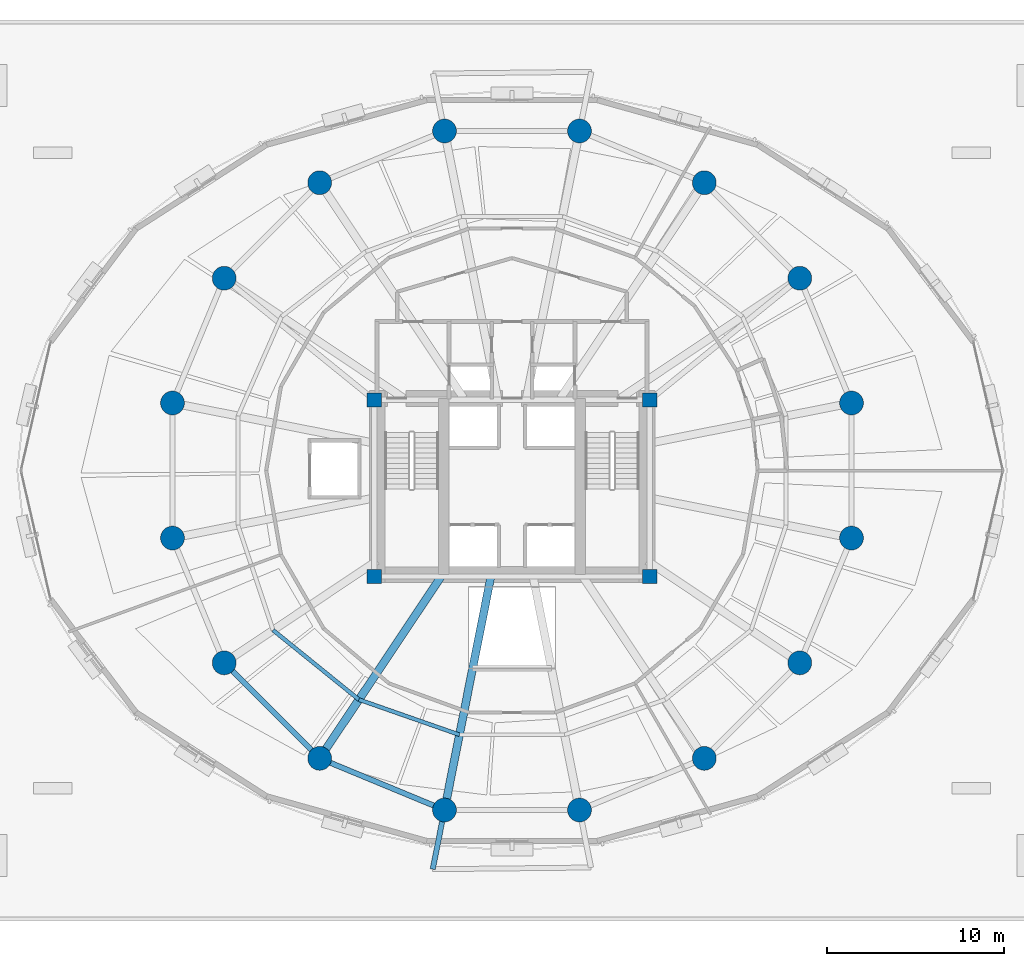
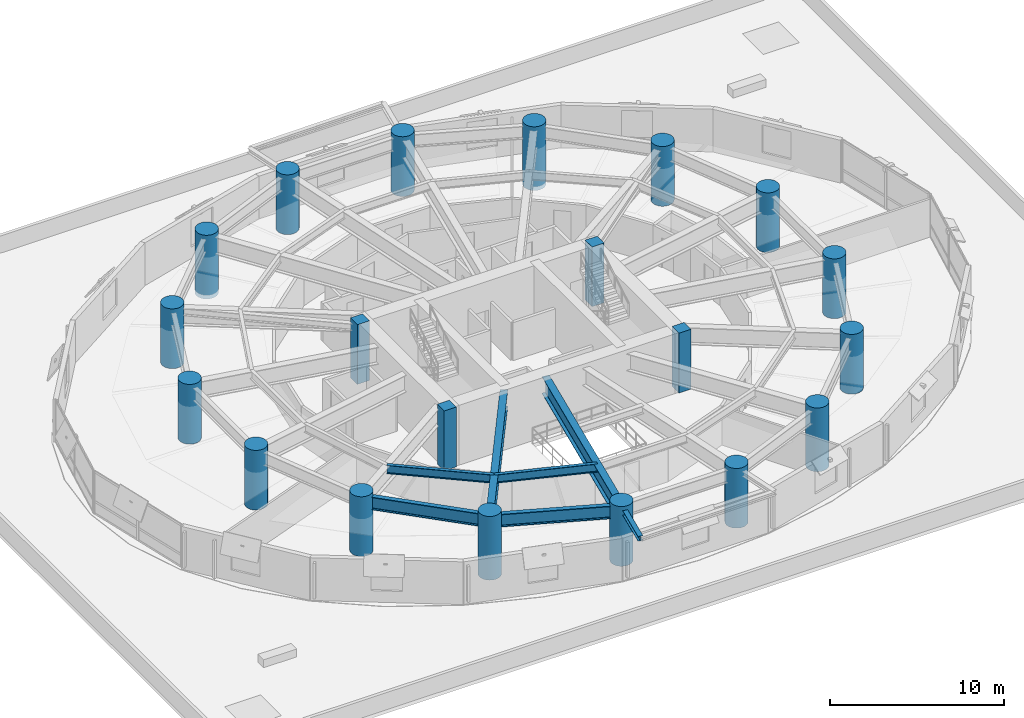
# One storey, part 1 of 15: 20 columns, 7 beams.
"""IFC4 building model written with IfcOpenShell, lengths in metres."""

from ifc_helpers import new_model, si_unit, direction, frame, origin, origin_2d, place, context, subcontext, project, spatial, rectangle, circle, i_section, extrude, material, material_profile, profile_set, type_object, element, save


model = new_model("IFC4")

# Units and contexts
model_context = context("Model", 3, precision=1e-05, world=origin(), true_north=direction((0.0, 1.0)))
body_context = subcontext(model_context, "Body", "Model", "MODEL_VIEW")
ifc_project = project(units=[si_unit("LENGTHUNIT", "METRE"), si_unit("AREAUNIT", "SQUARE_METRE"), si_unit("VOLUMEUNIT", "CUBIC_METRE"), si_unit("PLANEANGLEUNIT", "RADIAN"), si_unit("MASSUNIT", "GRAM", prefix="KILO"), si_unit("THERMODYNAMICTEMPERATUREUNIT", "KELVIN"), si_unit("POWERUNIT", "WATT")], contexts=[model_context])

# Site, building, storey
site_placement = place(None, origin())
site = spatial("IfcSite", under=ifc_project, at=site_placement, CompositionType="ELEMENT")
building_placement = place(site_placement, origin())
building = spatial("IfcBuilding", under=site, at=building_placement, Name="Ocrelia Relay Tower", CompositionType="ELEMENT")
storey_placement = place(building_placement, frame((0.0, 0.0, 30.0)))
storey = spatial("IfcBuildingStorey", under=building, at=storey_placement, Name="L06", CompositionType="ELEMENT", Elevation=30.0)

# Columns
ifc_material_1 = material(Name="Concrete C70/85", Category="concrete")
ifc_material_profile_1 = material_profile(ifc_material_1, circle(Radius=0.675048828125, at=origin_2d()), Name="RC-CIR-1350")
ifc_profile_set_1 = profile_set([ifc_material_profile_1], Name="Concrete C70/85")
column_type_1 = type_object("IfcColumnType", Name="COL-CT-1350", PredefinedType="COLUMN", material=ifc_profile_set_1)
for number, where, z_axis, x_axis, name in (
    (1, (53.223388671875, 29.82373046875, 0.0), (0.0, 0.0, 1.0), (1.0, 0.0, 0.0), "L06 Perimeter Ring Column C01"),
    (2, (50.296875, 36.88916015625, 0.0), (0.0, 0.0, 1.0), (1.0, 0.0, 0.0), "L06 Perimeter Ring Column C02"),
):
    element("IfcColumn", number, at=place(storey_placement, frame(where, z_axis=z_axis, x_axis=x_axis)), inside=storey, type_object=column_type_1, Name=name, PredefinedType="COLUMN", context=body_context, shape_type="SweptSolid", body=[
        extrude(circle(Radius=0.675048828125, at=origin_2d()), origin(), (0.0, 0.0, 1.0), 4.199951171875),
    ])
column_1_placement = place(storey_placement, frame((44.88916015625, 42.296875, -0.280029296875), z_axis=(0.0, 0.0, 1.0), x_axis=(1.0, 0.0, 0.0)))
element("IfcColumn", 3, at=column_1_placement, inside=storey, type_object=column_type_1, Name="L06 Perimeter Ring Column C03", PredefinedType="COLUMN", context=body_context, shape_type="SweptSolid", body=[
    extrude(circle(Radius=0.675048828125, at=origin_2d()), origin(), (0.0, 0.0, 1.0), 4.47998046875),
])
for number, where, z_axis, x_axis, name in (
    (4, (37.82373046875, 45.223388671875, 0.0), (0.0, 0.0, 1.0), (1.0, 0.0, 0.0), "L06 Perimeter Ring Column C04"),
    (5, (30.17626953125, 45.223388671875, 0.0), (0.0, 0.0, 1.0), (1.0, 0.0, 0.0), "L06 Perimeter Ring Column C05"),
):
    element("IfcColumn", number, at=place(storey_placement, frame(where, z_axis=z_axis, x_axis=x_axis)), inside=storey, type_object=column_type_1, Name=name, PredefinedType="COLUMN", context=body_context, shape_type="SweptSolid", body=[
        extrude(circle(Radius=0.675048828125, at=origin_2d()), origin(), (0.0, 0.0, 1.0), 4.199951171875),
    ])
column_2_placement = place(storey_placement, frame((23.11083984375, 42.296875, -0.280029296875), z_axis=(0.0, 0.0, 1.0), x_axis=(1.0, 0.0, 0.0)))
element("IfcColumn", 6, at=column_2_placement, inside=storey, type_object=column_type_1, Name="L06 Perimeter Ring Column C06", PredefinedType="COLUMN", context=body_context, shape_type="SweptSolid", body=[
    extrude(circle(Radius=0.675048828125, at=origin_2d()), origin(), (0.0, 0.0, 1.0), 4.47998046875),
])
for number, where, z_axis, x_axis, name in (
    (7, (17.703125, 36.88916015625, 0.0), (0.0, 0.0, 1.0), (1.0, 0.0, 0.0), "L06 Perimeter Ring Column C07"),
    (8, (14.776611328125, 29.82373046875, 0.0), (0.0, 0.0, 1.0), (1.0, 0.0, 0.0), "L06 Perimeter Ring Column C08"),
    (9, (14.776611328125, 22.17626953125, 0.0), (0.0, 0.0, 1.0), (1.0, 0.0, 0.0), "L06 Perimeter Ring Column C09"),
    (10, (17.703125, 15.11083984375, 0.0), (0.0, 0.0, 1.0), (1.0, 0.0, 0.0), "L06 Perimeter Ring Column C10"),
):
    element("IfcColumn", number, at=place(storey_placement, frame(where, z_axis=z_axis, x_axis=x_axis)), inside=storey, type_object=column_type_1, Name=name, PredefinedType="COLUMN", context=body_context, shape_type="SweptSolid", body=[
        extrude(circle(Radius=0.675048828125, at=origin_2d()), origin(), (0.0, 0.0, 1.0), 4.199951171875),
    ])
column_3_placement = place(storey_placement, frame((23.11083984375, 9.703125, -0.280029296875), z_axis=(0.0, 0.0, 1.0), x_axis=(1.0, 0.0, 0.0)))
element("IfcColumn", 11, at=column_3_placement, inside=storey, type_object=column_type_1, Name="L06 Perimeter Ring Column C11", PredefinedType="COLUMN", context=body_context, shape_type="SweptSolid", body=[
    extrude(circle(Radius=0.675048828125, at=origin_2d()), origin(), (0.0, 0.0, 1.0), 4.47998046875),
])
for number, where, z_axis, x_axis, name in (
    (12, (30.17626953125, 6.776611328125, 0.0), (0.0, 0.0, 1.0), (1.0, 0.0, 0.0), "L06 Perimeter Ring Column C12"),
    (13, (37.82373046875, 6.776611328125, 0.0), (0.0, 0.0, 1.0), (1.0, 0.0, 0.0), "L06 Perimeter Ring Column C13"),
):
    element("IfcColumn", number, at=place(storey_placement, frame(where, z_axis=z_axis, x_axis=x_axis)), inside=storey, type_object=column_type_1, Name=name, PredefinedType="COLUMN", context=body_context, shape_type="SweptSolid", body=[
        extrude(circle(Radius=0.675048828125, at=origin_2d()), origin(), (0.0, 0.0, 1.0), 4.199951171875),
    ])
column_4_placement = place(storey_placement, frame((44.88916015625, 9.703125, -0.280029296875), z_axis=(0.0, 0.0, 1.0), x_axis=(1.0, 0.0, 0.0)))
element("IfcColumn", 14, at=column_4_placement, inside=storey, type_object=column_type_1, Name="L06 Perimeter Ring Column C14", PredefinedType="COLUMN", context=body_context, shape_type="SweptSolid", body=[
    extrude(circle(Radius=0.675048828125, at=origin_2d()), origin(), (0.0, 0.0, 1.0), 4.47998046875),
])
for number, where, z_axis, x_axis, name in (
    (15, (50.296875, 15.11083984375, 0.0), (0.0, 0.0, 1.0), (1.0, 0.0, 0.0), "L06 Perimeter Ring Column C15"),
    (16, (53.223388671875, 22.17626953125, 0.0), (0.0, 0.0, 1.0), (1.0, 0.0, 0.0), "L06 Perimeter Ring Column C16"),
):
    element("IfcColumn", number, at=place(storey_placement, frame(where, z_axis=z_axis, x_axis=x_axis)), inside=storey, type_object=column_type_1, Name=name, PredefinedType="COLUMN", context=body_context, shape_type="SweptSolid", body=[
        extrude(circle(Radius=0.675048828125, at=origin_2d()), origin(), (0.0, 0.0, 1.0), 4.199951171875),
    ])
ifc_material_2 = material(Name="Concrete C60/75", Category="concrete")
ifc_material_profile_2 = material_profile(ifc_material_2, rectangle(XDim=0.800048828125, YDim=0.800048828125, at=origin_2d()), Name="RC-COL-800x800")
ifc_profile_set_2 = profile_set([ifc_material_profile_2], Name="Concrete C60/75")
column_type_2 = type_object("IfcColumnType", Name="COL-PILASTER-800", PredefinedType="PILASTER", material=ifc_profile_set_2)
for number, where, z_axis, x_axis, name in (
    (17, (26.199951171875, 20.0, 0.0), (0.0, 0.0, 1.0), (1.0, 0.0, 0.0), "L06 Core Corner Pilaster SW"),
    (18, (41.800048828125, 20.0, 0.0), (0.0, 0.0, 1.0), (1.0, 0.0, 0.0), "L06 Core Corner Pilaster SE"),
    (19, (26.199951171875, 30.0, 0.0), (0.0, 0.0, 1.0), (1.0, 0.0, 0.0), "L06 Core Corner Pilaster NW"),
    (20, (41.800048828125, 30.0, 0.0), (0.0, 0.0, 1.0), (1.0, 0.0, 0.0), "L06 Core Corner Pilaster NE"),
):
    element("IfcColumn", number, at=place(storey_placement, frame(where, z_axis=z_axis, x_axis=x_axis)), inside=storey, type_object=column_type_2, Name=name, PredefinedType="PILASTER", context=body_context, shape_type="SweptSolid", body=[
        extrude(rectangle(XDim=0.800048828125, YDim=0.800048828125, at=origin_2d()), origin(), (0.0, 0.0, 1.0), 4.199951171875),
    ])

# Beams
ifc_material_3 = material(Name="Steel S355", Category="steel")
ifc_material_profile_3 = material_profile(ifc_material_3, i_section(OverallWidth=0.300048828125, OverallDepth=0.330078125, WebThickness=0.009521484375, FlangeThickness=0.0166015625, FilletRadius=0.027099609375, at=origin_2d()), Name="HEA 340")
ifc_profile_set_3 = profile_set([ifc_material_profile_3], Name="Steel S355")
beam_type_1 = type_object("IfcBeamType", Name="BM-HEA340", PredefinedType="BEAM", material=ifc_profile_set_3)
beam_1_placement = place(storey_placement, frame((30.17626953125, 6.776611328125, 3.7548828125), z_axis=(-0.195126743893, -0.980778034938, 0.0), x_axis=(0.980778034938, -0.195126743893, 0.0)))
element("IfcBeam", 21, at=beam_1_placement, inside=storey, type_object=beam_type_1, Name="L07 Balcony Cantilever Beam B2-1", PredefinedType="BEAM", context=body_context, shape_type="SweptSolid", body=[
    extrude(i_section(OverallWidth=0.300048828125, OverallDepth=0.330078125, WebThickness=0.009521484375, FlangeThickness=0.0166015625, FilletRadius=0.027099609375, at=origin_2d()), origin(), (0.0, 0.0, 1.0), 3.4169921875),
])
ifc_material_profile_4 = material_profile(ifc_material_3, i_section(OverallWidth=0.300048828125, OverallDepth=0.89990234375, WebThickness=0.0185546875, FlangeThickness=0.034912109375, FilletRadius=0.030029296875, at=origin_2d()), Name="HEB 900")
ifc_profile_set_4 = profile_set([ifc_material_profile_4], Name="Steel S355")
beam_type_2 = type_object("IfcBeamType", Name="BM-HEB900", PredefinedType="BEAM", material=ifc_profile_set_4)
beam_2_placement = place(storey_placement, frame((17.703125, 15.11083984375, 3.469970703125), z_axis=(0.707106781187, -0.707106781187, 0.0), x_axis=(0.707106781187, 0.707106781187, 0.0)))
element("IfcBeam", 22, at=beam_2_placement, inside=storey, type_object=beam_type_2, Name="L06 Perimeter Spandrel Beam S10", PredefinedType="BEAM", context=body_context, shape_type="SweptSolid", body=[
    extrude(i_section(OverallWidth=0.300048828125, OverallDepth=0.89990234375, WebThickness=0.0185546875, FlangeThickness=0.034912109375, FilletRadius=0.030029296875, at=origin_2d()), origin(), (0.0, 0.0, 1.0), 7.647705078125),
])
beam_3_placement = place(storey_placement, frame((23.11083984375, 9.703125, 3.469970703125), z_axis=(0.923883375589, -0.382674154222, 0.0), x_axis=(0.382674154222, 0.923883375589, 0.0)))
element("IfcBeam", 23, at=beam_3_placement, inside=storey, type_object=beam_type_2, Name="L06 Perimeter Spandrel Beam S11", PredefinedType="BEAM", context=body_context, shape_type="SweptSolid", body=[
    extrude(i_section(OverallWidth=0.300048828125, OverallDepth=0.89990234375, WebThickness=0.0185546875, FlangeThickness=0.034912109375, FilletRadius=0.030029296875, at=origin_2d()), origin(), (0.0, 0.0, 1.0), 7.6474609375),
])
ifc_material_profile_5 = material_profile(ifc_material_3, i_section(OverallWidth=0.219970703125, OverallDepth=0.60009765625, WebThickness=0.011962890625, FlangeThickness=0.01904296875, FilletRadius=0.02392578125, at=origin_2d()), Name="IPE 600")
ifc_profile_set_5 = profile_set([ifc_material_profile_5], Name="Steel S355")
beam_type_3 = type_object("IfcBeamType", Name="BM-IPE600", PredefinedType="JOIST", material=ifc_profile_set_5)
beam_4_placement = place(storey_placement, frame((20.4716796875, 16.960693359375, 3.6201171875), z_axis=(0.77748215158, -0.628905003935, 0.0), x_axis=(0.628905003935, 0.77748215158, 0.0)))
element("IfcBeam", 24, at=beam_4_placement, inside=storey, type_object=beam_type_3, Name="L06 Secondary Floor Joist J10", PredefinedType="JOIST", context=body_context, shape_type="SweptSolid", body=[
    extrude(i_section(OverallWidth=0.219970703125, OverallDepth=0.60009765625, WebThickness=0.011962890625, FlangeThickness=0.01904296875, FilletRadius=0.02392578125, at=origin_2d()), origin(), (0.0, 0.0, 1.0), 6.25244140625),
])
beam_5_placement = place(storey_placement, frame((25.332763671875, 13.028564453125, 3.6201171875), z_axis=(0.943957429675, -0.330067221882, 0.0), x_axis=(0.330067221882, 0.943957429675, 0.0)))
element("IfcBeam", 25, at=beam_5_placement, inside=storey, type_object=beam_type_3, Name="L06 Secondary Floor Joist J11", PredefinedType="JOIST", context=body_context, shape_type="SweptSolid", body=[
    extrude(i_section(OverallWidth=0.219970703125, OverallDepth=0.60009765625, WebThickness=0.011962890625, FlangeThickness=0.01904296875, FilletRadius=0.02392578125, at=origin_2d()), origin(), (0.0, 0.0, 1.0), 6.029052734375),
])
ifc_material_profile_6 = material_profile(ifc_material_3, i_section(OverallWidth=0.449951171875, OverallDepth=1.199951171875, WebThickness=0.02392578125, FlangeThickness=0.035888671875, FilletRadius=0.02001953125, at=origin_2d()), Name="WPG 1200x450")
ifc_profile_set_6 = profile_set([ifc_material_profile_6], Name="Steel S355")
beam_type_4 = type_object("IfcBeamType", Name="BM-WPG1200", PredefinedType="T_BEAM", material=ifc_profile_set_6)
beam_6_placement = place(storey_placement, frame((23.11083984375, 9.703125, 3.320068359375), z_axis=(0.555569912646, 0.831469826369, 0.0), x_axis=(-0.831469826369, 0.555569912646, 0.0)))
element("IfcBeam", 26, at=beam_6_placement, inside=storey, type_object=beam_type_4, Name="L06 Radial Transfer Girder R11", PredefinedType="T_BEAM", context=body_context, shape_type="SweptSolid", body=[
    extrude(i_section(OverallWidth=0.449951171875, OverallDepth=1.199951171875, WebThickness=0.02392578125, FlangeThickness=0.035888671875, FilletRadius=0.02001953125, at=origin_2d()), origin(), (0.0, 0.0, 1.0), 12.498046875),
])
beam_7_placement = place(storey_placement, frame((30.17626953125, 6.776611328125, 3.320068359375), z_axis=(0.195089155229, 0.980785512491, 0.0), x_axis=(-0.980785512491, 0.195089155229, 0.0)))
element("IfcBeam", 27, at=beam_7_placement, inside=storey, type_object=beam_type_4, Name="L06 Radial Transfer Girder R12", PredefinedType="T_BEAM", context=body_context, shape_type="SweptSolid", body=[
    extrude(i_section(OverallWidth=0.449951171875, OverallDepth=1.199951171875, WebThickness=0.02392578125, FlangeThickness=0.035888671875, FilletRadius=0.02001953125, at=origin_2d()), origin(), (0.0, 0.0, 1.0), 13.579345703125),
])

save(model, "model.ifc")
